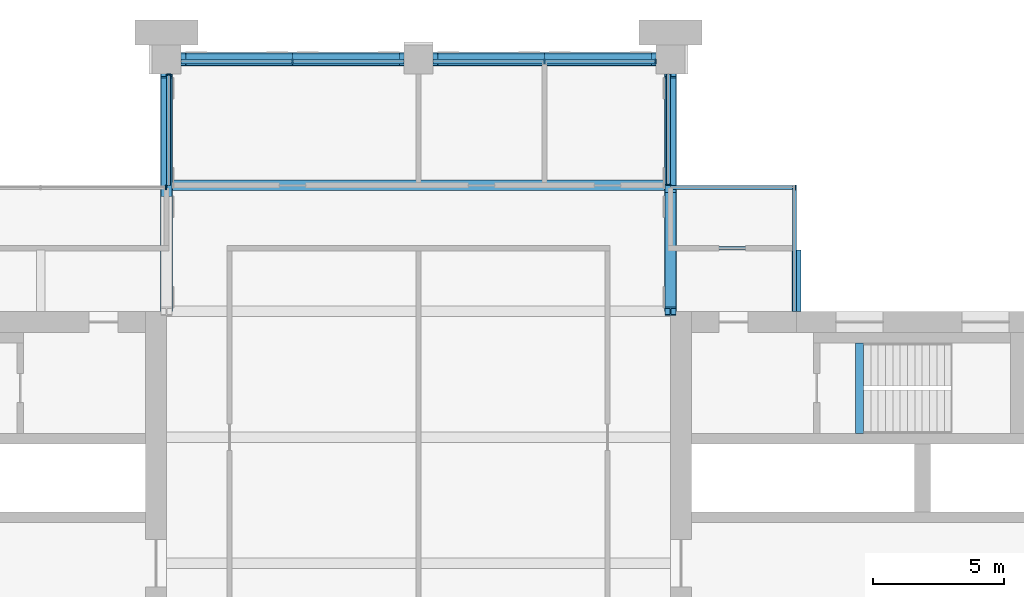
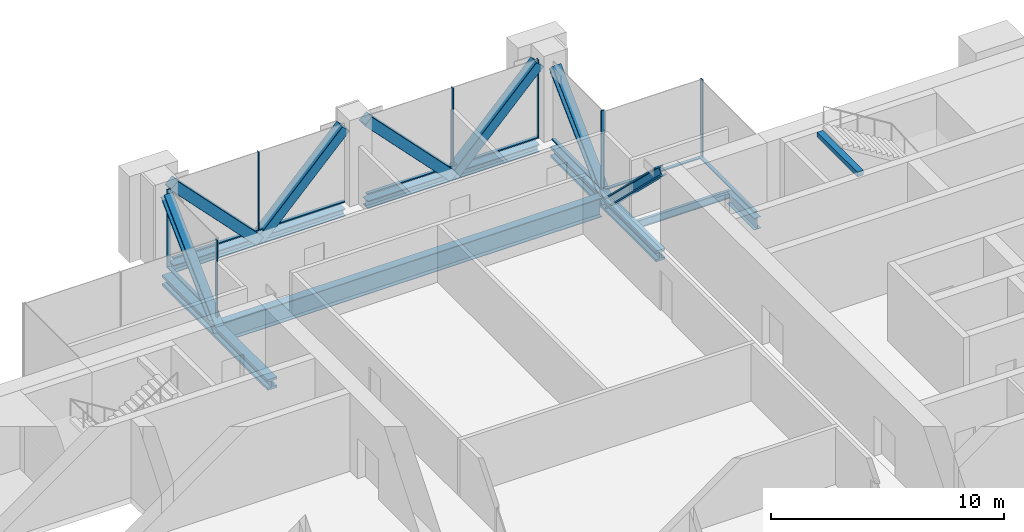
# One storey, part 6 of 13: 20 members, 8 beams, 6 elements without a shape of their own.
"""IFC4 building model written with IfcOpenShell, lengths in metres."""

import ifcopenshell
import ifcopenshell.guid

model = None  # the IFC model being written
_history = None  # IfcOwnerHistory: only IFC2X3 demands one
_inside = {}  # id of a spatial element -> (the spatial element, [elements in it])
_under = {}  # id of a project, library or spatial element -> (it, [spatial elements below it])
_declared = {}  # id of a project -> (the project, [libraries it declares])
_typed = {}  # id of a type object -> (the type object, [elements of that type])
_made_of = {}  # id of a material, layer set ... -> (it, [elements and type objects made of it])


def new_model(schema):
    """Start an empty IFC model of exactly this schema.

    Asked for "IFC4X3", IfcOpenShell would pick the latest addendum, in which some entities
    have other attributes; the version numbers below select the first issue.
    IFC2X3 requires an IfcOwnerHistory on every rooted entity: one is made here for all.
    """
    global model, _history
    if schema == "IFC4X3":
        model = ifcopenshell.file(schema_version=(4, 3, 0, 0))
    else:
        model = ifcopenshell.file(schema=schema)
    _inside.clear()
    _under.clear()
    _declared.clear()
    _typed.clear()
    _made_of.clear()
    _history = None
    if model.schema == "IFC2X3":
        org = make("IfcOrganization", Name="unknown")
        user = make(
            "IfcPersonAndOrganization",
            ThePerson=make("IfcPerson", FamilyName="unknown"),
            TheOrganization=org,
        )
        app = make(
            "IfcApplication",
            ApplicationDeveloper=org,
            Version="unknown",
            ApplicationFullName="unknown",
            ApplicationIdentifier="unknown",
        )
        _history = make(
            "IfcOwnerHistory",
            OwningUser=user,
            OwningApplication=app,
            ChangeAction="ADDED",
            CreationDate=0,
        )
    return model


def make(cls, **values):
    """One entity of the class cls with the attributes given. An attribute that is None is left unset."""
    return model.create_entity(
        cls, **{name: value for name, value in values.items() if value is not None}
    )


def rooted(cls, **values):
    """An entity with a GlobalId (a new one), such as an element, a storey or a relation."""
    return make(cls, GlobalId=ifcopenshell.guid.new(), OwnerHistory=_history, **values)


def si_unit(unit_type, name, prefix=None):
    """IfcSIUnit, for example si_unit("LENGTHUNIT", "METRE", prefix="MILLI")."""
    return make("IfcSIUnit", UnitType=unit_type, Prefix=prefix, Name=name)


def assignment(units):
    """IfcUnitAssignment: the units of a project."""
    return None if units is None else make("IfcUnitAssignment", Units=units)


def point(xyz):
    """IfcCartesianPoint."""
    return None if xyz is None else make("IfcCartesianPoint", Coordinates=xyz)


def direction(xyz):
    """IfcDirection."""
    return None if xyz is None else make("IfcDirection", DirectionRatios=xyz)


def frame(location, z_axis=None, x_axis=None):
    """IfcAxis2Placement3D, a coordinate frame: its origin and axes. An axis left out is left unset."""
    return make(
        "IfcAxis2Placement3D",
        Location=point(location),
        Axis=direction(z_axis),
        RefDirection=direction(x_axis),
    )


def frame_2d(location, x_axis=None):
    """IfcAxis2Placement2D, a coordinate frame in the plane: its origin and x axis."""
    return make(
        "IfcAxis2Placement2D", Location=point(location), RefDirection=direction(x_axis)
    )


def origin():
    """The frame at (0, 0, 0) with its axes left unset."""
    return frame((0.0, 0.0, 0.0))


def origin_2d():
    """The frame at (0, 0) in the plane with its x axis left unset."""
    return frame_2d((0.0, 0.0))


def place(relative_to, where):
    """IfcLocalPlacement: puts the frame where relative to a parent placement (None: the world)."""
    return make(
        "IfcLocalPlacement", PlacementRelTo=relative_to, RelativePlacement=where
    )


def context(
    kind, dimensions, precision=None, world=None, true_north=None, identifier=None
):
    """IfcGeometricRepresentationContext, for example the 3D "Model" context."""
    return make(
        "IfcGeometricRepresentationContext",
        ContextIdentifier=identifier,
        ContextType=kind,
        CoordinateSpaceDimension=dimensions,
        Precision=precision,
        WorldCoordinateSystem=world,
        TrueNorth=true_north,
    )


def subcontext(parent, identifier, kind, view, scale=None):
    """IfcGeometricRepresentationSubContext, for example "Body" below "Model"."""
    return make(
        "IfcGeometricRepresentationSubContext",
        ContextIdentifier=identifier,
        ContextType=kind,
        ParentContext=parent,
        TargetScale=scale,
        TargetView=view,
    )


def project(units=None, contexts=None):
    """IfcProject with its units and contexts."""
    return rooted(
        "IfcProject",
        Name="project",
        RepresentationContexts=contexts,
        UnitsInContext=assignment(units),
    )


def spatial(cls, under=None, at=None, **own):
    """A site, building, storey or space (cls), placed at a placement, below another one or the project."""
    s = rooted(cls, ObjectPlacement=at, **own)
    if under is not None:
        _under.setdefault(under.id(), (under, []))[1].append(s)
    return s


def profile(cls, at=None, kind="AREA", **sizes):
    """A parametric profile (cls). Its sizes go by their IFC names, for example OverallWidth=200.0."""
    return make(cls, ProfileType=kind, Position=at, **sizes)


def rectangle(**sizes):
    """IfcRectangleProfileDef."""
    return profile("IfcRectangleProfileDef", **sizes)


def hollow_rectangle(**sizes):
    """IfcRectangleHollowProfileDef."""
    return profile("IfcRectangleHollowProfileDef", **sizes)


def i_section(**sizes):
    """IfcIShapeProfileDef."""
    return profile("IfcIShapeProfileDef", **sizes)


def extrude(swept, where, along, depth):
    """IfcExtrudedAreaSolid: the profile swept, set in the frame where, extruded along a direction by depth."""
    return make(
        "IfcExtrudedAreaSolid",
        SweptArea=swept,
        Position=where,
        ExtrudedDirection=direction(along),
        Depth=depth,
    )


def shape(context_of_items, identifier, shape_type, items):
    """IfcShapeRepresentation: the items that make up one representation, for example the "Body"."""
    return make(
        "IfcShapeRepresentation",
        ContextOfItems=context_of_items,
        RepresentationIdentifier=identifier,
        RepresentationType=shape_type,
        Items=items,
    )


def material(Name=None, Category=None):
    """IfcMaterial."""
    return make("IfcMaterial", Name=Name, Category=Category)


def material_profile(
    of_material, cross_section, Name=None, Category=None, Priority=None
):
    """IfcMaterialProfile: a cross section and its material."""
    return make(
        "IfcMaterialProfile",
        Name=Name,
        Material=of_material,
        Profile=cross_section,
        Priority=Priority,
        Category=Category,
    )


def profile_set(profiles, Name=None, composite=None):
    """IfcMaterialProfileSet."""
    return make(
        "IfcMaterialProfileSet",
        Name=Name,
        MaterialProfiles=profiles,
        CompositeProfile=composite,
    )


def made_of(thing, what):
    """Note that an element or type object is made of a material, layer set ...; save() writes the relation."""
    if what is not None:
        _made_of.setdefault(what.id(), (what, []))[1].append(thing)
    return thing


def type_object(cls, material=None, **own):
    """A type object (cls), such as IfcWallType, which elements share."""
    return made_of(rooted(cls, **own), material)


def element(
    cls,
    number,
    at=None,
    inside=None,
    cuts=None,
    type_object=None,
    material=None,
    context=None,
    identifier="Body",
    shape_type=None,
    held_by="IfcProductDefinitionShape",
    body=None,
    shapes=None,
    **own,
):
    """One element of the class cls, such as IfcWall. Its Tag is "e" and its number.

    at: its placement. inside: the storey or other place that contains it. cuts: it is an
    opening in that element (IfcRelVoidsElement). A single representation is given by context,
    identifier, shape_type and body (its items); several are given by shapes. held_by: the class
    of the entity that holds the representations. save() writes the other relations.
    """
    e = rooted(cls, Tag="e%d" % number, ObjectPlacement=at, **own)
    if body is not None:
        shapes = [shape(context, identifier, shape_type, body)]
    if shapes is not None:
        e.Representation = make(held_by, Representations=shapes)
    if inside is not None:
        _inside.setdefault(inside.id(), (inside, []))[1].append(e)
    if cuts is not None:
        rooted(
            "IfcRelVoidsElement", RelatingBuildingElement=cuts, RelatedOpeningElement=e
        )
    if type_object is not None:
        _typed.setdefault(type_object.id(), (type_object, []))[1].append(e)
    return made_of(e, material)


def aggregate(whole, parts):
    """IfcRelAggregates: a whole, such as a stair, and the parts it consists of."""
    return rooted("IfcRelAggregates", RelatingObject=whole, RelatedObjects=parts)


def save(model, path):
    """Write the relations noted so far, then the file.

    IfcRelAggregates (storeys below a building ...), IfcRelContainedInSpatialStructure (elements
    in a storey), IfcRelDefinesByType, IfcRelAssociatesMaterial and IfcRelDeclares: one each for
    every whole, place, type object, material and project.
    """
    for whole, parts in _under.values():
        aggregate(whole, parts)
    for where, things in _inside.values():
        rooted(
            "IfcRelContainedInSpatialStructure",
            RelatedElements=things,
            RelatingStructure=where,
        )
    for kind, things in _typed.values():
        rooted("IfcRelDefinesByType", RelatedObjects=things, RelatingType=kind)
    for what, things in _made_of.values():
        rooted("IfcRelAssociatesMaterial", RelatedObjects=things, RelatingMaterial=what)
    for by, libraries in _declared.values():
        rooted("IfcRelDeclares", RelatingContext=by, RelatedDefinitions=libraries)
    model.write(path)


model = new_model("IFC4")

# Units and contexts
model_context = context("Model", 3, precision=1e-05, world=origin(), true_north=direction((0.0, 1.0)))
body_context = subcontext(model_context, "Body", "Model", "MODEL_VIEW")
ifc_project = project(units=[si_unit("LENGTHUNIT", "METRE"), si_unit("AREAUNIT", "SQUARE_METRE"), si_unit("VOLUMEUNIT", "CUBIC_METRE"), si_unit("PLANEANGLEUNIT", "RADIAN"), si_unit("MASSUNIT", "GRAM", prefix="KILO")], contexts=[model_context])

# Site, building, storey
site_placement = place(None, origin())
site = spatial("IfcSite", under=ifc_project, at=site_placement, CompositionType="ELEMENT")
building_placement = place(site_placement, origin())
building = spatial("IfcBuilding", under=site, at=building_placement, Name="Baori Bourse Tower", CompositionType="ELEMENT")
storey_placement = place(building_placement, frame((0.0, 0.0, 265.199951171875)))
storey = spatial("IfcBuildingStorey", under=building, at=storey_placement, Name="L59", CompositionType="ELEMENT", Elevation=265.199951171875)

# Beams
ifc_material_1 = material(Name="Steel A913 Gr 65", Category="steel")
ifc_material_profile_1 = material_profile(ifc_material_1, i_section(OverallWidth=0.4013671875, OverallDepth=0.398681640625, WebThickness=0.02490234375, FlangeThickness=0.03955078125, at=origin_2d()), Name="W14x211")
ifc_profile_set_1 = profile_set([ifc_material_profile_1], Name="Steel A913 Gr 65")
beam_type_1 = type_object("IfcBeamType", Name="Belt truss chord W14x211", PredefinedType="BEAM", material=ifc_profile_set_1)
for number, where, z_axis, x_axis, name in (
    (1, (19.75, 48.0, -0.499267578125), (1.0, 0.0, 0.0), (0.0, 1.0, 0.0), "Belt truss chord L59"),
    (2, (29.35009765625, 48.0, -0.499267578125), (1.0, 0.0, 0.0), (0.0, 1.0, 0.0), "Belt truss chord L59"),
):
    element("IfcBeam", number, at=place(storey_placement, frame(where, z_axis=z_axis, x_axis=x_axis)), inside=storey, type_object=beam_type_1, Name=name, PredefinedType="BEAM", context=body_context, shape_type="SweptSolid", body=[
        extrude(i_section(OverallWidth=0.4013671875, OverallDepth=0.398681640625, WebThickness=0.02490234375, FlangeThickness=0.03955078125, at=origin_2d()), origin(), (0.0, 0.0, 1.0), 8.5),
    ])

# Members
ifc_material_2 = material(Name="Steel A500 Gr C", Category="steel")
ifc_material_profile_2 = material_profile(ifc_material_2, hollow_rectangle(XDim=0.508056640625, YDim=0.508056640625, WallThickness=0.0146484375, InnerFilletRadius=0.00732421875, OuterFilletRadius=0.022216796875, at=origin_2d()), Name="HSS20x20x5/8")
ifc_profile_set_2 = profile_set([ifc_material_profile_2], Name="Steel A500 Gr C")
member_type_1 = type_object("IfcMemberType", Name="Belt truss diagonal HSS20x20x5/8", PredefinedType="BRACE", material=ifc_profile_set_2)
for number, where, z_axis, x_axis, name in (
    (3, (19.75, 48.0, 3.900634765625), (0.694748340564, 0.0, -0.719252906344), (0.0, 1.0, 0.0), "Belt truss diagonal L59"),
    (4, (24.0, 48.0, -0.499267578125), (0.694748340564, 0.0, 0.719252906344), (0.0, 1.0, 0.0), "Belt truss diagonal L59"),
    (5, (29.35009765625, 48.0, 3.900634765625), (0.694748340564, 0.0, -0.719252906344), (0.0, 1.0, 0.0), "Belt truss diagonal L59"),
    (6, (33.60009765625, 48.0, -0.499267578125), (0.694748340564, 0.0, 0.719252906344), (0.0, 1.0, 0.0), "Belt truss diagonal L59"),
):
    element("IfcMember", number, at=place(storey_placement, frame(where, z_axis=z_axis, x_axis=x_axis)), inside=storey, type_object=member_type_1, Name=name, PredefinedType="BRACE", context=body_context, shape_type="SweptSolid", body=[
        extrude(hollow_rectangle(XDim=0.508056640625, YDim=0.508056640625, WallThickness=0.0146484375, InnerFilletRadius=0.00732421875, OuterFilletRadius=0.022216796875, at=origin_2d()), origin(), (0.0, 0.0, 1.0), 6.117431640625),
    ])

# Curtain wall, member
ifc_material_3 = material(Name="Pale anodised aluminium", Category="aluminium")
curtain_wall_type = type_object("IfcCurtainWallType", Name="CW3 Curtain wall", PredefinedType="NOTDEFINED", material=ifc_material_3)
curtain_wall_1_placement = place(storey_placement, origin())
curtain_wall_1 = element("IfcCurtainWall", 7, at=curtain_wall_1_placement, inside=storey, type_object=curtain_wall_type, Name="Curtain wall CW3 L59 2", PredefinedType="NOTDEFINED")
ifc_material_4 = material(Name="Pale anodised aluminium", Category="aluminium")
ifc_material_profile_3 = material_profile(ifc_material_4, rectangle(XDim=0.159912109375, YDim=0.050048828125, at=origin_2d()), Name="Mullion 50x160")
ifc_profile_set_3 = profile_set([ifc_material_profile_3], Name="Pale anodised aluminium")
member_type_2 = type_object("IfcMemberType", Name="CW3 Curtain wall mullion", PredefinedType="MULLION", material=ifc_profile_set_3)
member_1_placement = place(storey_placement, frame((43.175048828125, 43.1201171875, 0.06005859375), z_axis=(0.0, 0.0, 1.0), x_axis=(0.0, -1.0, 0.0)))
member_1 = element("IfcMember", 8, at=member_1_placement, type_object=member_type_2, Name="Curtain wall CW3 mullion", PredefinedType="MULLION", context=body_context, shape_type="SweptSolid", body=[
    extrude(rectangle(XDim=0.159912109375, YDim=0.050048828125, at=origin_2d()), origin(), (0.0, 0.0, 1.0), 4.0400390625),
])

curtain_wall_2_placement = place(storey_placement, origin())
curtain_wall_2 = element("IfcCurtainWall", 9, at=curtain_wall_2_placement, inside=storey, type_object=curtain_wall_type, Name="Curtain wall CW3 L59 3", PredefinedType="NOTDEFINED")
member_2_placement = place(storey_placement, frame((38.320068359375, 43.22509765625, 0.06005859375), z_axis=(0.0, 0.0, 1.0), x_axis=(-1.0, 0.0, 0.0)))
member_2 = element("IfcMember", 10, at=member_2_placement, type_object=member_type_2, Name="Curtain wall CW3 mullion", PredefinedType="MULLION", context=body_context, shape_type="SweptSolid", body=[
    extrude(rectangle(XDim=0.159912109375, YDim=0.050048828125, at=origin_2d()), origin(), (0.0, 0.0, 1.0), 4.0400390625),
])

# Curtain wall, members
curtain_wall_3_placement = place(storey_placement, origin())
curtain_wall_3 = element("IfcCurtainWall", 11, at=curtain_wall_3_placement, inside=storey, type_object=curtain_wall_type, Name="Curtain wall CW3 L59 4", PredefinedType="NOTDEFINED")
member_3_placement = place(storey_placement, frame((37.824951171875, 47.919921875, 0.06005859375), z_axis=(0.0, 0.0, 1.0), x_axis=(0.0, -1.0, 0.0)))
member_3 = element("IfcMember", 12, at=member_3_placement, type_object=member_type_2, Name="Curtain wall CW3 mullion", PredefinedType="MULLION", context=body_context, shape_type="SweptSolid", body=[
    extrude(rectangle(XDim=0.159912109375, YDim=0.050048828125, at=origin_2d()), origin(), (0.0, 0.0, 1.0), 4.0400390625),
])
member_4_placement = place(storey_placement, frame((33.60009765625, 47.919921875, 0.06005859375), z_axis=(0.0, 0.0, 1.0), x_axis=(0.0, -1.0, 0.0)))
member_4 = element("IfcMember", 13, at=member_4_placement, type_object=member_type_2, Name="Curtain wall CW3 mullion", PredefinedType="MULLION", context=body_context, shape_type="SweptSolid", body=[
    extrude(rectangle(XDim=0.159912109375, YDim=0.050048828125, at=origin_2d()), origin(), (0.0, 0.0, 1.0), 4.0400390625),
])
member_5_placement = place(storey_placement, frame((24.0, 47.919921875, 0.06005859375), z_axis=(0.0, 0.0, 1.0), x_axis=(0.0, -1.0, 0.0)))
member_5 = element("IfcMember", 14, at=member_5_placement, type_object=member_type_2, Name="Curtain wall CW3 mullion", PredefinedType="MULLION", context=body_context, shape_type="SweptSolid", body=[
    extrude(rectangle(XDim=0.159912109375, YDim=0.050048828125, at=origin_2d()), origin(), (0.0, 0.0, 1.0), 4.0400390625),
])

# Curtain wall, member
curtain_wall_4_placement = place(storey_placement, origin())
curtain_wall_4 = element("IfcCurtainWall", 15, at=curtain_wall_4_placement, inside=storey, type_object=curtain_wall_type, Name="Curtain wall CW3 L59 5", PredefinedType="NOTDEFINED")
member_6_placement = place(storey_placement, frame((19.280029296875, 47.425048828125, 0.06005859375), z_axis=(0.0, 0.0, 1.0), x_axis=(1.0, 0.0, 0.0)))
member_6 = element("IfcMember", 16, at=member_6_placement, type_object=member_type_2, Name="Curtain wall CW3 mullion", PredefinedType="MULLION", context=body_context, shape_type="SweptSolid", body=[
    extrude(rectangle(XDim=0.159912109375, YDim=0.050048828125, at=origin_2d()), origin(), (0.0, 0.0, 1.0), 4.0400390625),
])

curtain_wall_5_placement = place(storey_placement, origin())
curtain_wall_5 = element("IfcCurtainWall", 17, at=curtain_wall_5_placement, inside=storey, type_object=curtain_wall_type, Name="Curtain wall CW3 L59 6", PredefinedType="NOTDEFINED")
member_7_placement = place(storey_placement, frame((19.175048828125, 43.1201171875, 0.06005859375), z_axis=(0.0, 0.0, 1.0), x_axis=(0.0, -1.0, 0.0)))
member_7 = element("IfcMember", 18, at=member_7_placement, type_object=member_type_2, Name="Curtain wall CW3 mullion", PredefinedType="MULLION", context=body_context, shape_type="SweptSolid", body=[
    extrude(rectangle(XDim=0.159912109375, YDim=0.050048828125, at=origin_2d()), origin(), (0.0, 0.0, 1.0), 4.0400390625),
])
aggregate(curtain_wall_5, [member_7])

curtain_wall_6_placement = place(storey_placement, origin())
curtain_wall_6 = element("IfcCurtainWall", 19, at=curtain_wall_6_placement, inside=storey, type_object=curtain_wall_type, Name="Curtain wall CW3 L59 1", PredefinedType="NOTDEFINED")
ifc_material_5 = material(Name="Pale anodised aluminium", Category="aluminium")
ifc_material_profile_4 = material_profile(ifc_material_5, rectangle(XDim=0.159912109375, YDim=0.06005859375, at=origin_2d()), Name="Transom 60x160")
ifc_profile_set_4 = profile_set([ifc_material_profile_4], Name="Pale anodised aluminium")
member_type_3 = type_object("IfcMemberType", Name="CW3 Curtain wall transom", PredefinedType="USERDEFINED", material=ifc_profile_set_4)
member_8_placement = place(storey_placement, frame((43.1201171875, 38.39990234375, 0.030029296875), z_axis=(0.0, 1.0, 0.0), x_axis=(-1.0, 0.0, 0.0)))
member_8 = element("IfcMember", 20, at=member_8_placement, type_object=member_type_3, Name="Curtain wall CW3 sill rail", ObjectType="TRANSOM", PredefinedType="USERDEFINED", context=body_context, shape_type="SweptSolid", body=[
    extrude(rectangle(XDim=0.159912109375, YDim=0.06005859375, at=origin_2d()), origin(), (0.0, 0.0, 1.0), 4.800048828125),
])
aggregate(curtain_wall_6, [member_8])

# Member
member_9_placement = place(storey_placement, frame((43.199951171875, 43.1201171875, 0.030029296875), z_axis=(-1.0, 0.0, 0.0), x_axis=(0.0, -1.0, 0.0)))
member_9 = element("IfcMember", 21, at=member_9_placement, type_object=member_type_3, Name="Curtain wall CW3 sill rail", ObjectType="TRANSOM", PredefinedType="USERDEFINED", context=body_context, shape_type="SweptSolid", body=[
    extrude(rectangle(XDim=0.159912109375, YDim=0.06005859375, at=origin_2d()), origin(), (0.0, 0.0, 1.0), 4.800048828125),
])

aggregate(curtain_wall_1, [member_9, member_1])

member_10_placement = place(storey_placement, frame((38.320068359375, 43.199951171875, 0.030029296875), z_axis=(0.0, 1.0, 0.0), x_axis=(-1.0, 0.0, 0.0)))
member_10 = element("IfcMember", 22, at=member_10_placement, type_object=member_type_3, Name="Curtain wall CW3 sill rail", ObjectType="TRANSOM", PredefinedType="USERDEFINED", context=body_context, shape_type="SweptSolid", body=[
    extrude(rectangle(XDim=0.159912109375, YDim=0.06005859375, at=origin_2d()), origin(), (0.0, 0.0, 1.0), 4.25),
])

aggregate(curtain_wall_2, [member_10, member_2])

member_11_placement = place(storey_placement, frame((37.85009765625, 47.919921875, 0.030029296875), z_axis=(-1.0, 0.0, 0.0), x_axis=(0.0, -1.0, 0.0)))
member_11 = element("IfcMember", 23, at=member_11_placement, type_object=member_type_3, Name="Curtain wall CW3 sill rail", ObjectType="TRANSOM", PredefinedType="USERDEFINED", context=body_context, shape_type="SweptSolid", body=[
    extrude(rectangle(XDim=0.159912109375, YDim=0.06005859375, at=origin_2d()), origin(), (0.0, 0.0, 1.0), 8.5),
])

member_12_placement = place(storey_placement, frame((28.25, 47.919921875, 0.030029296875), z_axis=(-1.0, 0.0, 0.0), x_axis=(0.0, -1.0, 0.0)))
member_12 = element("IfcMember", 24, at=member_12_placement, type_object=member_type_3, Name="Curtain wall CW3 sill rail", ObjectType="TRANSOM", PredefinedType="USERDEFINED", context=body_context, shape_type="SweptSolid", body=[
    extrude(rectangle(XDim=0.159912109375, YDim=0.06005859375, at=origin_2d()), origin(), (0.0, 0.0, 1.0), 8.5),
])

aggregate(curtain_wall_3, [member_11, member_3, member_4, member_12, member_5])

member_13_placement = place(storey_placement, frame((19.280029296875, 47.449951171875, 0.030029296875), z_axis=(0.0, -1.0, 0.0), x_axis=(1.0, 0.0, 0.0)))
member_13 = element("IfcMember", 25, at=member_13_placement, type_object=member_type_3, Name="Curtain wall CW3 sill rail", ObjectType="TRANSOM", PredefinedType="USERDEFINED", context=body_context, shape_type="SweptSolid", body=[
    extrude(rectangle(XDim=0.159912109375, YDim=0.06005859375, at=origin_2d()), origin(), (0.0, 0.0, 1.0), 4.25),
])

aggregate(curtain_wall_4, [member_13, member_6])

# Beams
ifc_material_6 = material(Name="Steel A992 Gr 50", Category="steel")
ifc_material_profile_5 = material_profile(ifc_material_6, i_section(OverallWidth=0.3251953125, OverallDepth=0.612060546875, WebThickness=0.0126953125, FlangeThickness=0.01904296875, at=origin_2d()), Name="W24x104")
ifc_profile_set_5 = profile_set([ifc_material_profile_5], Name="Steel A992 Gr 50")
beam_type_2 = type_object("IfcBeamType", Name="Core bracket W24x104", PredefinedType="BEAM", material=ifc_profile_set_5)
beam_1_placement = place(storey_placement, frame((43.199951171875, 38.39990234375, -0.60595703125), z_axis=(0.0, 1.0, 0.0), x_axis=(-1.0, 0.0, 0.0)))
element("IfcBeam", 26, at=beam_1_placement, inside=storey, type_object=beam_type_2, Name="Core bracket L59", PredefinedType="BEAM", context=body_context, shape_type="SweptSolid", body=[
    extrude(i_section(OverallWidth=0.3251953125, OverallDepth=0.612060546875, WebThickness=0.0126953125, FlangeThickness=0.01904296875, at=origin_2d()), origin(), (0.0, 0.0, 1.0), 2.329833984375),
])
ifc_material_7 = material(Name="Steel A992 Gr 50", Category="steel")
ifc_material_profile_6 = material_profile(ifc_material_7, i_section(OverallWidth=0.4013671875, OverallDepth=0.990478515625, WebThickness=0.0166015625, FlangeThickness=0.031005859375, at=origin_2d()), Name="W40x215")
ifc_profile_set_6 = profile_set([ifc_material_profile_6], Name="Steel A992 Gr 50")
beam_type_3 = type_object("IfcBeamType", Name="Floor beam W40x215", PredefinedType="BEAM", material=ifc_profile_set_6)
beam_2_placement = place(storey_placement, frame((19.42724609375, 43.199951171875, -0.795166015625), z_axis=(1.0, 0.0, 0.0), x_axis=(0.0, 1.0, 0.0)))
element("IfcBeam", 27, at=beam_2_placement, inside=storey, type_object=beam_type_3, Name="Floor beam L59", PredefinedType="BEAM", context=body_context, shape_type="SweptSolid", body=[
    extrude(i_section(OverallWidth=0.4013671875, OverallDepth=0.990478515625, WebThickness=0.0166015625, FlangeThickness=0.031005859375, at=origin_2d()), origin(), (0.0, 0.0, 1.0), 18.745361328125),
])
ifc_material_8 = material(Name="Steel A913 Gr 65", Category="steel")
ifc_material_profile_7 = material_profile(ifc_material_8, i_section(OverallWidth=0.45458984375, OverallDepth=0.56884765625, WebThickness=0.077880859375, FlangeThickness=0.124755859375, at=origin_2d()), Name="W14x730")
ifc_profile_set_7 = profile_set([ifc_material_profile_7], Name="Steel A913 Gr 65")
beam_type_4 = type_object("IfcBeamType", Name="Outrigger truss chord W14x730", PredefinedType="BEAM", material=ifc_profile_set_7)
for number, where, z_axis, x_axis, name in (
    (28, (19.199951171875, 38.39990234375, -0.58447265625), (0.0, 1.0, 0.0), (-1.0, 0.0, 0.0), "Outrigger truss chord L59"),
    (29, (38.39990234375, 38.39990234375, -0.58447265625), (0.0, 1.0, 0.0), (-1.0, 0.0, 0.0), "Outrigger truss chord L59"),
):
    element("IfcBeam", number, at=place(storey_placement, frame(where, z_axis=z_axis, x_axis=x_axis)), inside=storey, type_object=beam_type_4, Name=name, PredefinedType="BEAM", context=body_context, shape_type="SweptSolid", body=[
        extrude(i_section(OverallWidth=0.45458984375, OverallDepth=0.56884765625, WebThickness=0.077880859375, FlangeThickness=0.124755859375, at=origin_2d()), origin(), (0.0, 0.0, 1.0), 9.050048828125),
    ])

# Members
ifc_material_9 = material(Name="Steel A913 Gr 65", Category="steel")
ifc_material_profile_8 = material_profile(ifc_material_9, i_section(OverallWidth=0.419189453125, OverallDepth=0.45458984375, WebThickness=0.042236328125, FlangeThickness=0.067626953125, at=origin_2d()), Name="W14x370")
ifc_profile_set_8 = profile_set([ifc_material_profile_8], Name="Steel A913 Gr 65")
member_type_4 = type_object("IfcMemberType", Name="Outrigger truss diagonal W14x370", PredefinedType="BRACE", material=ifc_profile_set_8)
member_14_placement = place(storey_placement, frame((19.199951171875, 42.925048828125, -0.58447265625), z_axis=(0.0, 0.716920804848, 0.697154616693), x_axis=(-1.0, 0.0, 0.0)))
element("IfcMember", 30, at=member_14_placement, inside=storey, type_object=member_type_4, Name="Outrigger truss diagonal L59", PredefinedType="BRACE", context=body_context, shape_type="SweptSolid", body=[
    extrude(i_section(OverallWidth=0.419189453125, OverallDepth=0.45458984375, WebThickness=0.042236328125, FlangeThickness=0.067626953125, at=origin_2d()), origin(), (0.0, 0.0, 1.0), 6.3115234375),
])
member_15_placement = place(storey_placement, frame((38.39990234375, 38.39990234375, 3.815673828125), z_axis=(0.0, 0.71693960417, -0.697135283839), x_axis=(-1.0, 0.0, 0.0)))
element("IfcMember", 31, at=member_15_placement, inside=storey, type_object=member_type_4, Name="Outrigger truss diagonal L59", PredefinedType="BRACE", context=body_context, shape_type="SweptSolid", body=[
    extrude(i_section(OverallWidth=0.419189453125, OverallDepth=0.45458984375, WebThickness=0.042236328125, FlangeThickness=0.067626953125, at=origin_2d()), origin(), (0.0, 0.0, 1.0), 6.311767578125),
])
member_16_placement = place(storey_placement, frame((38.39990234375, 42.925048828125, -0.58447265625), z_axis=(0.0, 0.716920804848, 0.697154616693), x_axis=(-1.0, 0.0, 0.0)))
element("IfcMember", 32, at=member_16_placement, inside=storey, type_object=member_type_4, Name="Outrigger truss diagonal L59", PredefinedType="BRACE", context=body_context, shape_type="SweptSolid", body=[
    extrude(i_section(OverallWidth=0.419189453125, OverallDepth=0.45458984375, WebThickness=0.042236328125, FlangeThickness=0.067626953125, at=origin_2d()), origin(), (0.0, 0.0, 1.0), 6.3115234375),
])

# Beams
ifc_material_10 = material(Name="Concrete f'c 50 MPa", Category="concrete")
ifc_material_profile_9 = material_profile(ifc_material_10, rectangle(XDim=0.300048828125, YDim=0.25, at=origin_2d()), Name="RC 300x250")
ifc_profile_set_9 = profile_set([ifc_material_profile_9], Name="Concrete f'c 50 MPa")
beam_type_5 = type_object("IfcBeamType", Name="Stair nib beam RC 300x250", PredefinedType="BEAM", material=ifc_profile_set_9)
beam_3_placement = place(storey_placement, frame((45.60009765625, 33.75, 3.97509765625), z_axis=(0.0, 1.0, 0.0), x_axis=(-1.0, 0.0, 0.0)))
element("IfcBeam", 33, at=beam_3_placement, inside=storey, type_object=beam_type_5, Name="Stair EB nib beam L60", PredefinedType="BEAM", context=body_context, shape_type="SweptSolid", body=[
    extrude(rectangle(XDim=0.300048828125, YDim=0.25, at=origin_2d()), origin(), (0.0, 0.0, 1.0), 3.449951171875),
])
ifc_material_11 = material(Name="Steel A992 Gr 50", Category="steel")
ifc_material_profile_10 = material_profile(ifc_material_11, i_section(OverallWidth=0.140380859375, OverallDepth=0.40380859375, WebThickness=0.007080078125, FlangeThickness=0.01123046875, at=origin_2d()), Name="W16x31")
ifc_profile_set_10 = profile_set([ifc_material_profile_10], Name="Steel A992 Gr 50")
beam_type_6 = type_object("IfcBeamType", Name="Trimmer beam W16x31", PredefinedType="BEAM", material=ifc_profile_set_10)
beam_4_placement = place(storey_placement, frame((38.62744140625, 40.800048828125, -0.501953125), z_axis=(1.0, 0.0, 0.0), x_axis=(0.0, 1.0, 0.0)))
element("IfcBeam", 34, at=beam_4_placement, inside=storey, type_object=beam_type_6, Name="Trimmer beam L59", PredefinedType="BEAM", context=body_context, shape_type="SweptSolid", body=[
    extrude(i_section(OverallWidth=0.140380859375, OverallDepth=0.40380859375, WebThickness=0.007080078125, FlangeThickness=0.01123046875, at=origin_2d()), origin(), (0.0, 0.0, 1.0), 4.572509765625),
])

save(model, "model.ifc")
